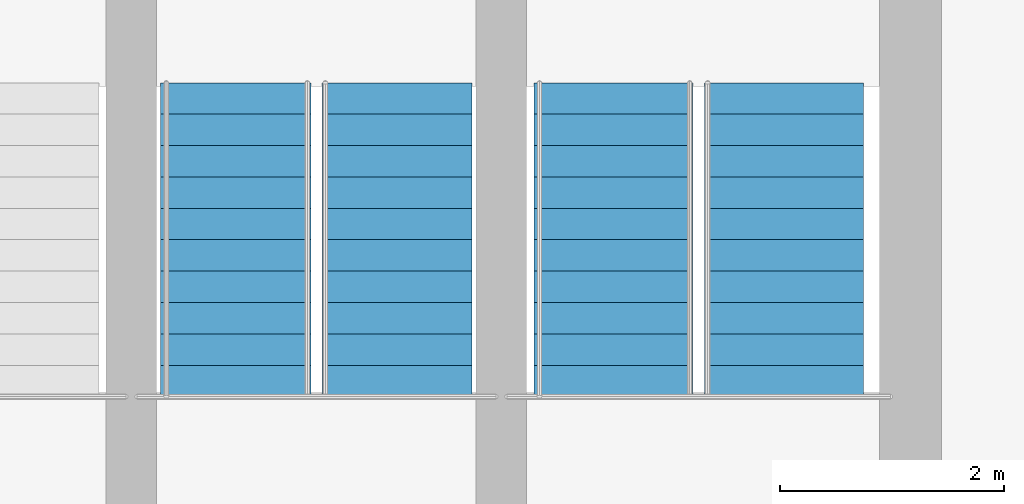
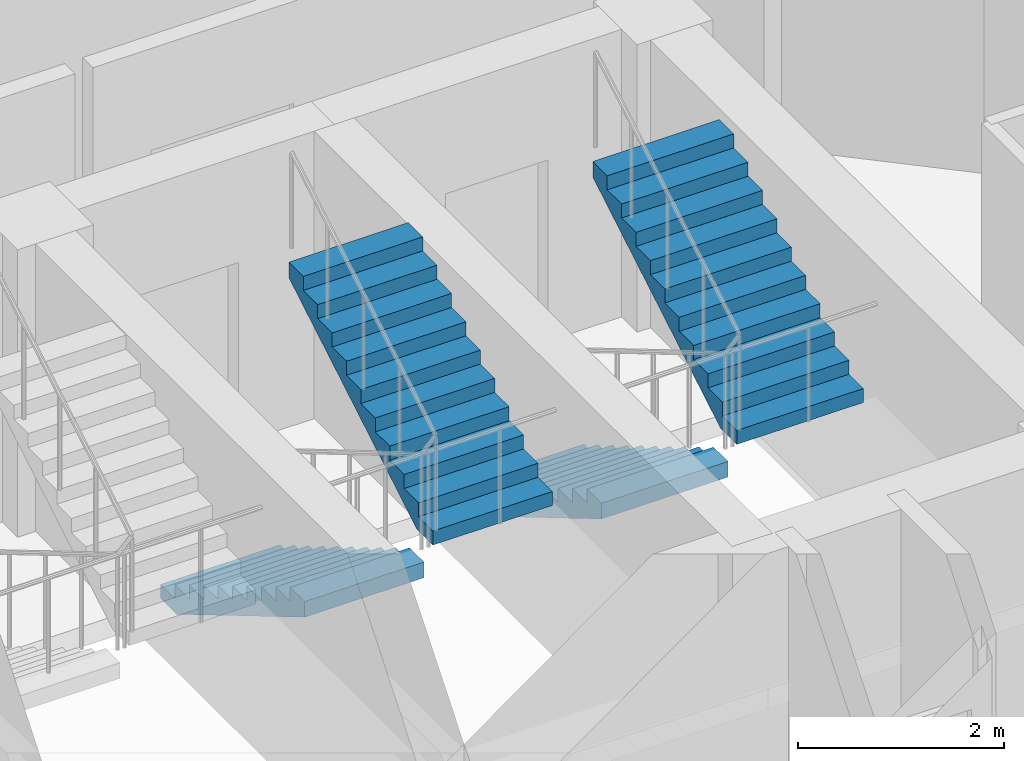
# One storey, part 26 of 27: 4 stair flights, 2 elements without a shape of their own.
"""IFC4 building model written with IfcOpenShell, lengths in metres."""

from ifc_helpers import new_model, si_unit, direction, frame, origin, place, context, subcontext, project, spatial, polyline, outline, extrude, material, type_object, element, aggregate, save


model = new_model("IFC4")

# Units and contexts
model_context = context("Model", 3, precision=1e-05, world=origin(), true_north=direction((0.0, 1.0)))
body_context = subcontext(model_context, "Body", "Model", "MODEL_VIEW")
ifc_project = project(units=[si_unit("LENGTHUNIT", "METRE"), si_unit("AREAUNIT", "SQUARE_METRE"), si_unit("VOLUMEUNIT", "CUBIC_METRE"), si_unit("PLANEANGLEUNIT", "RADIAN"), si_unit("MASSUNIT", "GRAM", prefix="KILO")], contexts=[model_context])

# Site, building, storey
site_placement = place(None, origin())
site = spatial("IfcSite", under=ifc_project, at=site_placement, CompositionType="ELEMENT")
building_placement = place(site_placement, origin())
building = spatial("IfcBuilding", under=site, at=building_placement, Name="Nuhasar Tower", CompositionType="ELEMENT")
storey_placement = place(building_placement, frame((0.0, 0.0, 226.39990234375)))
storey = spatial("IfcBuildingStorey", under=building, at=storey_placement, Name="L55", CompositionType="ELEMENT", Elevation=226.39990234375)

# Stair, stair flights
ifc_material = material(Name="Concrete C45/55", Category="concrete")
stair_type_1 = type_object("IfcStairType", Name="STR-ST-02-2F-22R-1659", PredefinedType="HALF_TURN_STAIR", material=ifc_material)
stair_1_placement = place(storey_placement, origin())
stair_1 = element("IfcStair", 1, at=stair_1_placement, inside=storey, type_object=stair_type_1, Name="L55 Exit Stair ST-02", PredefinedType="HALF_TURN_STAIR")
stair_flight_type_1 = type_object("IfcStairFlightType", Name="SFL-ST-02-11R-1659", PredefinedType="STRAIGHT", material=ifc_material)
stair_flight_1_placement = place(storey_placement, frame((41.64990234375, 35.284912109375, 0.0), z_axis=(0.0, 0.0, 1.0), x_axis=(0.0, -1.0, 0.0)))
stair_flight_1 = element("IfcStairFlight", 2, at=stair_flight_1_placement, type_object=stair_flight_type_1, Name="ST-02 flight 1", NumberOfRisers=11, NumberOfTreads=10, PredefinedType="STRAIGHT", RiserHeight=0.165909, TreadLength=0.28, context=body_context, shape_type="SweptSolid", body=[
    extrude(outline(polyline([(0.0, 0.0), (0.0, 0.166015625), (0.280029296875, 0.166015625), (0.280029296875, 0.331787109375), (0.56005859375, 0.331787109375), (0.56005859375, 0.497802734375), (0.840087890625, 0.497802734375), (0.840087890625, 0.66357421875), (1.1201171875, 0.66357421875), (1.1201171875, 0.82958984375), (1.39990234375, 0.82958984375), (1.39990234375, 0.995361328125), (1.679931640625, 0.995361328125), (1.679931640625, 1.161376953125), (1.9599609375, 1.161376953125), (1.9599609375, 1.327392578125), (2.239990234375, 1.327392578125), (2.239990234375, 1.4931640625), (2.52001953125, 1.4931640625), (2.52001953125, 1.6591796875), (2.800048828125, 1.6591796875), (2.800048828125, 1.824951171875), (2.800048828125, 1.47314453125), (0.313720703125, 0.0), (0.0, 0.0)])), frame((0.0, 0.7099609375, 0.0), z_axis=(0.0, -1.0, 0.0), x_axis=(1.0, 0.0, 0.0)), (0.0, 0.0, 1.0), 1.419921875),
])
stair_flight_2_placement = place(storey_placement, frame((43.169921875, 32.485107421875, 1.8251953125), z_axis=(0.0, 0.0, 1.0), x_axis=(0.0, 1.0, 0.0)))
stair_flight_2 = element("IfcStairFlight", 3, at=stair_flight_2_placement, type_object=stair_flight_type_1, Name="ST-02 flight 2", NumberOfRisers=11, NumberOfTreads=10, PredefinedType="STRAIGHT", RiserHeight=0.165909, TreadLength=0.28, context=body_context, shape_type="SweptSolid", body=[
    extrude(outline(polyline([(0.0, 0.0), (0.0, 0.166015625), (0.280029296875, 0.166015625), (0.280029296875, 0.331787109375), (0.56005859375, 0.331787109375), (0.56005859375, 0.497802734375), (0.840087890625, 0.497802734375), (0.840087890625, 0.66357421875), (1.1201171875, 0.66357421875), (1.1201171875, 0.82958984375), (1.39990234375, 0.82958984375), (1.39990234375, 0.995361328125), (1.679931640625, 0.995361328125), (1.679931640625, 1.161376953125), (1.9599609375, 1.161376953125), (1.9599609375, 1.327392578125), (2.239990234375, 1.327392578125), (2.239990234375, 1.4931640625), (2.52001953125, 1.4931640625), (2.52001953125, 1.6591796875), (2.800048828125, 1.6591796875), (2.800048828125, 1.824951171875), (2.800048828125, 1.47314453125), (0.313720703125, 0.0), (0.0, 0.0)])), frame((0.0, 0.7099609375, 0.0), z_axis=(0.0, -1.0, 0.0), x_axis=(1.0, 0.0, 0.0)), (0.0, 0.0, 1.0), 1.419921875),
])
aggregate(stair_1, [stair_flight_1, stair_flight_2])

stair_type_2 = type_object("IfcStairType", Name="STR-ST-03-2F-22R-1659", PredefinedType="HALF_TURN_STAIR", material=ifc_material)
stair_2_placement = place(storey_placement, origin())
stair_2 = element("IfcStair", 4, at=stair_2_placement, inside=storey, type_object=stair_type_2, Name="L55 Exit Stair ST-03", PredefinedType="HALF_TURN_STAIR")
stair_flight_type_2 = type_object("IfcStairFlightType", Name="SFL-ST-03-11R-1659", PredefinedType="STRAIGHT", material=ifc_material)
stair_flight_3_placement = place(storey_placement, frame((38.280029296875, 35.284912109375, 0.0), z_axis=(0.0, 0.0, 1.0), x_axis=(0.0, -1.0, 0.0)))
stair_flight_3 = element("IfcStairFlight", 5, at=stair_flight_3_placement, type_object=stair_flight_type_2, Name="ST-03 flight 1", NumberOfRisers=11, NumberOfTreads=10, PredefinedType="STRAIGHT", RiserHeight=0.165909, TreadLength=0.28, context=body_context, shape_type="SweptSolid", body=[
    extrude(outline(polyline([(0.0, 0.0), (0.0, 0.166015625), (0.280029296875, 0.166015625), (0.280029296875, 0.331787109375), (0.56005859375, 0.331787109375), (0.56005859375, 0.497802734375), (0.840087890625, 0.497802734375), (0.840087890625, 0.66357421875), (1.1201171875, 0.66357421875), (1.1201171875, 0.82958984375), (1.39990234375, 0.82958984375), (1.39990234375, 0.995361328125), (1.679931640625, 0.995361328125), (1.679931640625, 1.161376953125), (1.9599609375, 1.161376953125), (1.9599609375, 1.327392578125), (2.239990234375, 1.327392578125), (2.239990234375, 1.4931640625), (2.52001953125, 1.4931640625), (2.52001953125, 1.6591796875), (2.800048828125, 1.6591796875), (2.800048828125, 1.824951171875), (2.800048828125, 1.47314453125), (0.313720703125, 0.0), (0.0, 0.0)])), frame((0.0, 0.669921875, 0.0), z_axis=(0.0, -1.0, 0.0), x_axis=(1.0, 0.0, 0.0)), (0.0, 0.0, 1.0), 1.340087890625),
])
stair_flight_4_placement = place(storey_placement, frame((39.719970703125, 32.485107421875, 1.8251953125), z_axis=(0.0, 0.0, 1.0), x_axis=(0.0, 1.0, 0.0)))
stair_flight_4 = element("IfcStairFlight", 6, at=stair_flight_4_placement, type_object=stair_flight_type_2, Name="ST-03 flight 2", NumberOfRisers=11, NumberOfTreads=10, PredefinedType="STRAIGHT", RiserHeight=0.165909, TreadLength=0.28, context=body_context, shape_type="SweptSolid", body=[
    extrude(outline(polyline([(0.0, 0.0), (0.0, 0.166015625), (0.280029296875, 0.166015625), (0.280029296875, 0.331787109375), (0.56005859375, 0.331787109375), (0.56005859375, 0.497802734375), (0.840087890625, 0.497802734375), (0.840087890625, 0.66357421875), (1.1201171875, 0.66357421875), (1.1201171875, 0.82958984375), (1.39990234375, 0.82958984375), (1.39990234375, 0.995361328125), (1.679931640625, 0.995361328125), (1.679931640625, 1.161376953125), (1.9599609375, 1.161376953125), (1.9599609375, 1.327392578125), (2.239990234375, 1.327392578125), (2.239990234375, 1.4931640625), (2.52001953125, 1.4931640625), (2.52001953125, 1.6591796875), (2.800048828125, 1.6591796875), (2.800048828125, 1.824951171875), (2.800048828125, 1.47314453125), (0.313720703125, 0.0), (0.0, 0.0)])), frame((0.0, 0.669921875, 0.0), z_axis=(0.0, -1.0, 0.0), x_axis=(1.0, 0.0, 0.0)), (0.0, 0.0, 1.0), 1.340087890625),
])
aggregate(stair_2, [stair_flight_3, stair_flight_4])

save(model, "model.ifc")
